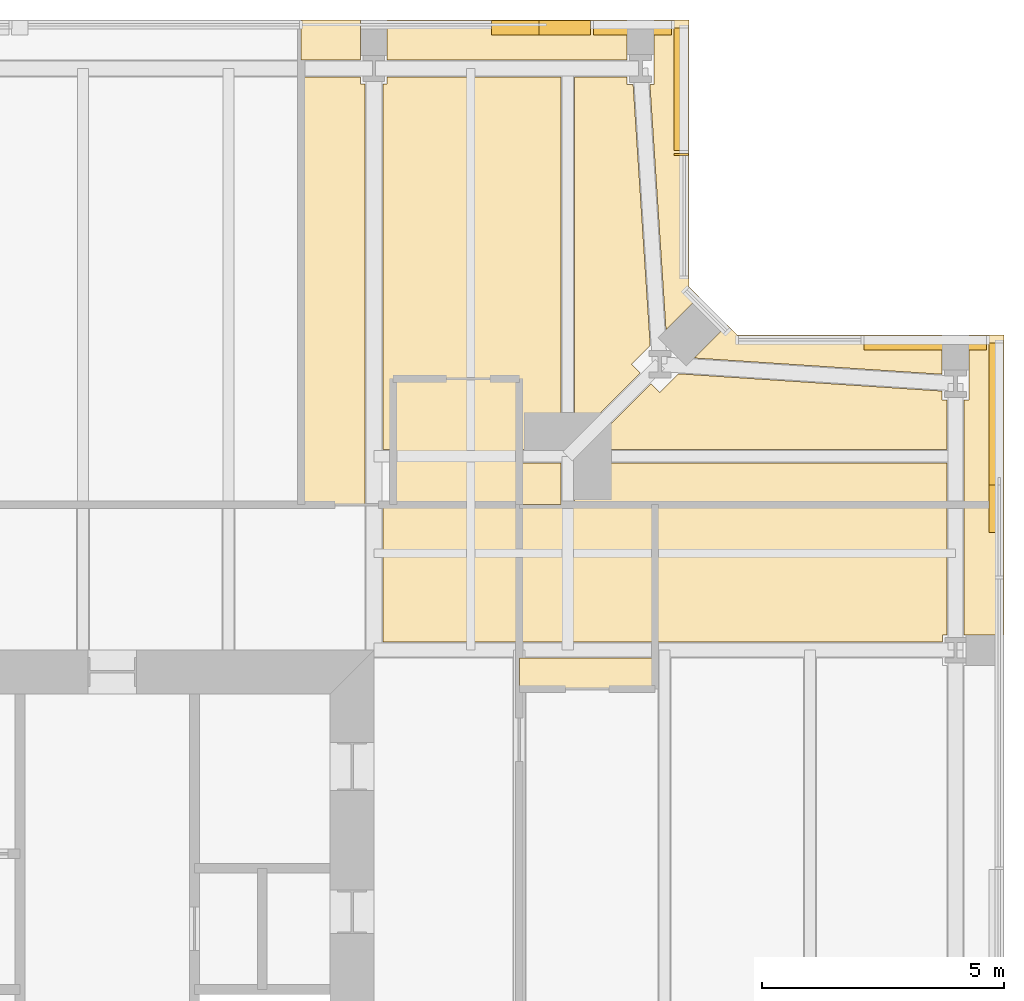
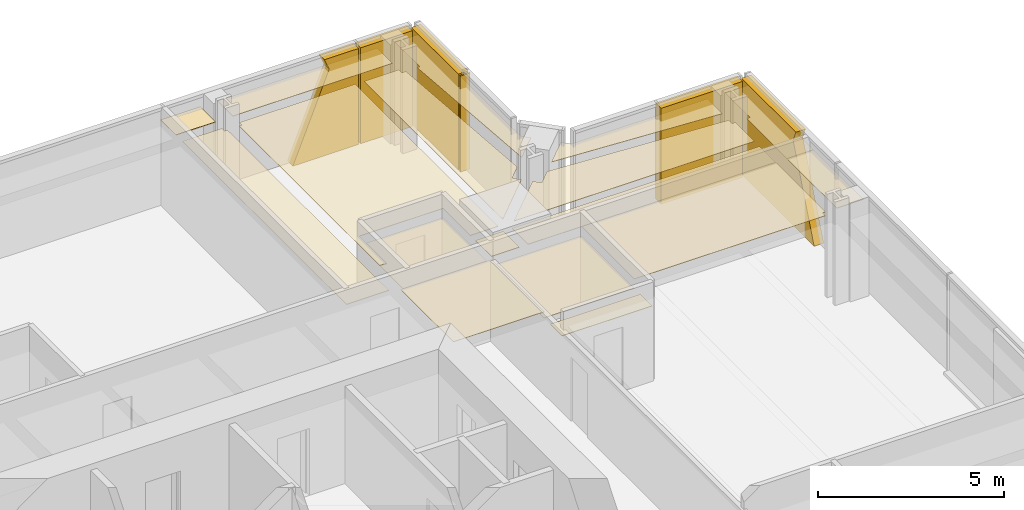
# One storey, part 19 of 20: 23 coverings.
"""IFC4 building model written with IfcOpenShell, lengths in metres."""

from ifc_helpers import new_model, si_unit, direction, frame, origin, place, context, subcontext, project, spatial, polyline, outline, extrude, material, layer, layer_set, type_object, element, save


model = new_model("IFC4")

# Units and contexts
model_context = context("Model", 3, precision=1e-05, world=origin(), true_north=direction((0.0, 1.0)))
body_context = subcontext(model_context, "Body", "Model", "MODEL_VIEW")
ifc_project = project(units=[si_unit("LENGTHUNIT", "METRE"), si_unit("AREAUNIT", "SQUARE_METRE"), si_unit("VOLUMEUNIT", "CUBIC_METRE"), si_unit("PLANEANGLEUNIT", "RADIAN"), si_unit("MASSUNIT", "GRAM", prefix="KILO")], contexts=[model_context])

# Site, building, storey
site_placement = place(None, origin())
site = spatial("IfcSite", under=ifc_project, at=site_placement, CompositionType="ELEMENT")
building_placement = place(site_placement, origin())
building = spatial("IfcBuilding", under=site, at=building_placement, Name="Fenwick Lantern Interchange", CompositionType="ELEMENT")
storey_placement = place(building_placement, frame((0.0, 0.0, 279.800048828125)))
storey = spatial("IfcBuildingStorey", under=building, at=storey_placement, Name="L67", CompositionType="ELEMENT", Elevation=279.800048828125)

# Coverings
ifc_material_1 = material(Name="Granite cladding, warm grey flamed finish, on aluminium carrier frame", Category="masonry")
ifc_layer_1 = layer(ifc_material_1, 0.300048828125)
ifc_layer_set_1 = layer_set([ifc_layer_1], Name="BRACE CASING PANEL 300")
covering_type_1 = type_object("IfcCoveringType", Name="BRACE CASING PANEL 300", PredefinedType="CLADDING", material=ifc_layer_set_1)
covering_1_placement = place(storey_placement, frame((49.89990234375, 6.60009765625, 0.0), z_axis=(0.0, 0.0, 1.0), x_axis=(0.0, 1.0, 0.0)))
element("IfcCovering", 1, at=covering_1_placement, inside=storey, type_object=covering_type_1, Name="Brace casing 05 bay 06a", PredefinedType="CLADDING", context=body_context, shape_type="SweptSolid", body=[
    extrude(outline(polyline([(32.828369140625, 0.0), (36.739990234375, 0.0), (36.739990234375, 3.14990234375), (33.810791015625, 3.14990234375), (33.957275390625, 2.791015625), (32.828369140625, 0.0)])), frame((0.0, 0.2099609375, 0.0), z_axis=(0.0, -1.0, 0.0), x_axis=(1.0, 0.0, 0.0)), (0.0, 0.0, 1.0), 0.300048828125),
])
covering_2_placement = place(storey_placement, frame((49.89990234375, 43.39990234375, 0.0), z_axis=(0.0, 0.0, 1.0), x_axis=(-1.0, 0.0, 0.0)))
element("IfcCovering", 2, at=covering_2_placement, inside=storey, type_object=covering_type_1, Name="Brace casing 06 bay 00a", PredefinedType="CLADDING", context=body_context, shape_type="SweptSolid", body=[
    extrude(outline(polyline([(0.260009765625, 0.0), (2.790771484375, 0.0), (2.790771484375, 3.14990234375), (0.260009765625, 3.14990234375), (0.260009765625, 0.0)])), frame((0.0, 0.2099609375, 0.0), z_axis=(0.0, -1.0, 0.0), x_axis=(1.0, 0.0, 0.0)), (0.0, 0.0, 1.0), 0.300048828125),
])
covering_3_placement = place(storey_placement, frame((43.39990234375, 44.45849609375, 0.0), z_axis=(0.0, 0.0, 1.0), x_axis=(0.0, 1.0, 0.0)))
element("IfcCovering", 3, at=covering_3_placement, inside=storey, type_object=covering_type_1, Name="Brace casing 08 bay 00a", PredefinedType="CLADDING", context=body_context, shape_type="SweptSolid", body=[
    extrude(outline(polyline([(2.741455078125, 0.0), (2.790771484375, 0.0), (2.790771484375, 3.14990234375), (2.741455078125, 3.14990234375), (2.741455078125, 0.0)])), frame((0.0, 0.2099609375, 0.0), z_axis=(0.0, -1.0, 0.0), x_axis=(1.0, 0.0, 0.0)), (0.0, 0.0, 1.0), 0.300048828125),
])
covering_4_placement = place(storey_placement, frame((43.39990234375, 44.45849609375, 0.0), z_axis=(0.0, 0.0, 1.0), x_axis=(0.0, 1.0, 0.0)))
element("IfcCovering", 4, at=covering_4_placement, inside=storey, type_object=covering_type_1, Name="Brace casing 08 bay 01a", PredefinedType="CLADDING", context=body_context, shape_type="SweptSolid", body=[
    extrude(outline(polyline([(2.850830078125, 0.0), (5.38134765625, 0.0), (5.38134765625, 3.14990234375), (2.850830078125, 3.14990234375), (2.850830078125, 0.0)])), frame((0.0, 0.2099609375, 0.0), z_axis=(0.0, -1.0, 0.0), x_axis=(1.0, 0.0, 0.0)), (0.0, 0.0, 1.0), 0.300048828125),
])
covering_5_placement = place(storey_placement, frame((43.39990234375, 49.89990234375, 0.0), z_axis=(0.0, 0.0, 1.0), x_axis=(-1.0, 0.0, 0.0)))
element("IfcCovering", 5, at=covering_5_placement, inside=storey, type_object=covering_type_1, Name="Brace casing 09 bay 00a", PredefinedType="CLADDING", context=body_context, shape_type="SweptSolid", body=[
    extrude(outline(polyline([(0.260009765625, 0.0), (1.8701171875, 0.0), (1.8701171875, 3.14990234375), (0.260009765625, 3.14990234375), (0.260009765625, 0.0)])), frame((0.0, 0.2099609375, 0.0), z_axis=(0.0, -1.0, 0.0), x_axis=(1.0, 0.0, 0.0)), (0.0, 0.0, 1.0), 0.300048828125),
])
covering_6_placement = place(storey_placement, frame((43.39990234375, 49.89990234375, 0.0), z_axis=(0.0, 0.0, 1.0), x_axis=(-1.0, 0.0, 0.0)))
element("IfcCovering", 6, at=covering_6_placement, inside=storey, type_object=covering_type_1, Name="Brace casing 09 bay 01a", PredefinedType="CLADDING", context=body_context, shape_type="SweptSolid", body=[
    extrude(outline(polyline([(1.929931640625, 0.0), (3.971435546875, 0.0), (2.8427734375, 2.791015625), (2.9892578125, 3.14990234375), (1.929931640625, 3.14990234375), (1.929931640625, 0.0)])), frame((0.0, 0.2099609375, 0.0), z_axis=(0.0, -1.0, 0.0), x_axis=(1.0, 0.0, 0.0)), (0.0, 0.0, 1.0), 0.300048828125),
])
ifc_material_2 = material(Name="Moisture resistant gypsum board on suspended frame, painted")
ifc_layer_2 = layer(ifc_material_2, 0.014892578125)
ifc_layer_set_2 = layer_set([ifc_layer_2], Name="MOISTURE RESISTANT CEILING 15")
covering_type_2 = type_object("IfcCoveringType", Name="MOISTURE RESISTANT CEILING 15", PredefinedType="CEILING", material=ifc_layer_set_2)
covering_7_placement = place(storey_placement, frame((0.0, 0.0, 2.39990234375)))
element("IfcCovering", 7, at=covering_7_placement, inside=storey, type_object=covering_type_2, Name="En-suite 6707 ceiling", PredefinedType="CEILING", context=body_context, shape_type="SweptSolid", body=[
    extrude(outline(polyline([(40.0, 40.0), (40.0, 37.166015625), (42.800048828125, 37.166015625), (42.800048828125, 40.0), (40.0, 40.0)])), origin(), (0.0, 0.0, 1.0), 0.01513671875),
])
covering_8_placement = place(storey_placement, frame((0.0, 0.0, 2.39990234375)))
element("IfcCovering", 8, at=covering_8_placement, inside=storey, type_object=covering_type_2, Name="En-suite 6707 ceiling", PredefinedType="CEILING", context=body_context, shape_type="SweptSolid", body=[
    extrude(outline(polyline([(42.800048828125, 36.199951171875), (42.800048828125, 36.833984375), (40.0, 36.833984375), (40.0, 36.199951171875), (42.800048828125, 36.199951171875)])), origin(), (0.0, 0.0, 1.0), 0.01513671875),
])
covering_9_placement = place(storey_placement, frame((0.0, 0.0, 2.39990234375)))
element("IfcCovering", 9, at=covering_9_placement, inside=storey, type_object=covering_type_2, Name="En-suite 6708 ceiling", PredefinedType="CEILING", context=body_context, shape_type="SweptSolid", body=[
    extrude(outline(polyline([(40.0, 42.60009765625), (37.39990234375, 42.60009765625), (37.39990234375, 40.0), (40.0, 40.0), (40.0, 42.60009765625)])), origin(), (0.0, 0.0, 1.0), 0.01513671875),
])
ifc_material_3 = material(Name="Gypsum plasterboard on suspended frame, painted")
ifc_layer_3 = layer(ifc_material_3, 0.014892578125)
ifc_layer_set_3 = layer_set([ifc_layer_3], Name="PLASTERBOARD CEILING 15")
covering_type_3 = type_object("IfcCoveringType", Name="PLASTERBOARD CEILING 15", PredefinedType="CEILING", material=ifc_layer_set_3)
covering_10_placement = place(storey_placement, frame((0.0, 0.0, 2.599853515625)))
element("IfcCovering", 10, at=covering_10_placement, inside=storey, type_object=covering_type_3, Name="Corridor ceiling", PredefinedType="CEILING", context=body_context, shape_type="SweptSolid", body=[
    extrude(outline(polyline([(40.0, 40.0), (37.183837890625, 40.0), (37.183837890625, 37.166015625), (40.0, 37.166015625), (40.0, 40.0)])), origin(), (0.0, 0.0, 1.0), 0.01513671875),
])
covering_11_placement = place(storey_placement, frame((0.0, 0.0, 2.699951171875)))
element("IfcCovering", 11, at=covering_11_placement, inside=storey, type_object=covering_type_3, Name="Guest suite 6707 ceiling", PredefinedType="CEILING", context=body_context, shape_type="SweptSolid", body=[
    extrude(outline(polyline([(48.72900390625, 37.3154296875), (48.82763671875, 37.3154296875), (48.82763671875, 40.0), (42.800048828125, 40.0), (42.800048828125, 37.166015625), (48.72900390625, 37.166015625), (48.72900390625, 37.3154296875)])), origin(), (0.0, 0.0, 1.0), 0.014892578125),
])
covering_12_placement = place(storey_placement, frame((0.0, 0.0, 2.699951171875)))
element("IfcCovering", 12, at=covering_12_placement, inside=storey, type_object=covering_type_3, Name="Guest suite 6707 ceiling", PredefinedType="CEILING", context=body_context, shape_type="SweptSolid", body=[
    extrude(outline(polyline([(49.17236328125, 37.3154296875), (50.0, 37.3154296875), (50.0, 40.0), (49.17236328125, 40.0), (49.17236328125, 37.3154296875)])), origin(), (0.0, 0.0, 1.0), 0.014892578125),
])
covering_13_placement = place(storey_placement, frame((0.0, 0.0, 2.699951171875)))
element("IfcCovering", 13, at=covering_13_placement, inside=storey, type_object=covering_type_3, Name="Guest suite 6708 ceiling", PredefinedType="CEILING", context=body_context, shape_type="SweptSolid", body=[
    extrude(outline(polyline([(40.0, 42.60009765625), (40.0, 41.134521484375), (40.865478515625, 41.134521484375), (40.865478515625, 48.82763671875), (37.27099609375, 48.82763671875), (37.27099609375, 48.6845703125), (37.183837890625, 48.6845703125), (37.183837890625, 41.134521484375), (37.39990234375, 41.134521484375), (37.39990234375, 42.60009765625), (40.0, 42.60009765625)])), origin(), (0.0, 0.0, 1.0), 0.014892578125),
])
covering_14_placement = place(storey_placement, frame((0.0, 0.0, 2.699951171875)))
element("IfcCovering", 14, at=covering_14_placement, inside=storey, type_object=covering_type_3, Name="Guest suite 6708 ceiling", PredefinedType="CEILING", context=body_context, shape_type="SweptSolid", body=[
    extrude(outline(polyline([(35.5, 40.0), (36.816162109375, 40.0), (36.816162109375, 48.6845703125), (36.72900390625, 48.6845703125), (36.72900390625, 48.82763671875), (35.5, 48.82763671875), (35.5, 40.0)])), origin(), (0.0, 0.0, 1.0), 0.014892578125),
])
covering_15_placement = place(storey_placement, frame((0.0, 0.0, 2.699951171875)))
element("IfcCovering", 15, at=covering_15_placement, inside=storey, type_object=covering_type_3, Name="Guest suite 6708 ceiling", PredefinedType="CEILING", context=body_context, shape_type="SweptSolid", body=[
    extrude(outline(polyline([(42.89990234375, 42.3173828125), (42.71728515625, 42.500244140625), (41.351318359375, 41.134521484375), (48.82763671875, 41.134521484375), (48.82763671875, 42.16552734375), (48.72265625, 42.16552734375), (48.72265625, 42.345458984375), (43.284423828125, 42.701904296875), (42.89990234375, 42.3173828125)])), origin(), (0.0, 0.0, 1.0), 0.014892578125),
])
covering_16_placement = place(storey_placement, frame((0.0, 0.0, 2.699951171875)))
element("IfcCovering", 16, at=covering_16_placement, inside=storey, type_object=covering_type_3, Name="Guest suite 6708 ceiling", PredefinedType="CEILING", context=body_context, shape_type="SweptSolid", body=[
    extrude(outline(polyline([(42.22265625, 48.66552734375), (42.22265625, 48.82763671875), (41.134521484375, 48.82763671875), (41.134521484375, 41.351318359375), (42.500244140625, 42.71728515625), (42.3173828125, 42.89990234375), (42.701904296875, 43.284423828125), (42.34912109375, 48.66552734375), (42.22265625, 48.66552734375)])), origin(), (0.0, 0.0, 1.0), 0.014892578125),
])
covering_17_placement = place(storey_placement, frame((0.0, 0.0, 2.699951171875)))
element("IfcCovering", 17, at=covering_17_placement, inside=storey, type_object=covering_type_3, Name="Guest suite 6708 ceiling", PredefinedType="CEILING", context=body_context, shape_type="SweptSolid", body=[
    extrude(outline(polyline([(41.134521484375, 40.0), (48.82763671875, 40.0), (48.82763671875, 40.865478515625), (41.134521484375, 40.865478515625), (41.134521484375, 40.0)])), origin(), (0.0, 0.0, 1.0), 0.014892578125),
])
covering_18_placement = place(storey_placement, frame((0.0, 0.0, 2.699951171875)))
element("IfcCovering", 18, at=covering_18_placement, inside=storey, type_object=covering_type_3, Name="Guest suite 6708 ceiling", PredefinedType="CEILING", context=body_context, shape_type="SweptSolid", body=[
    extrude(outline(polyline([(42.77734375, 48.66552734375), (42.69482421875, 48.66552734375), (43.0263671875, 43.60888671875), (43.708740234375, 44.291259765625), (43.5, 44.5), (43.5, 50.0), (42.77734375, 50.0), (42.77734375, 48.66552734375)])), origin(), (0.0, 0.0, 1.0), 0.014892578125),
])
covering_19_placement = place(storey_placement, frame((0.0, 0.0, 2.699951171875)))
element("IfcCovering", 19, at=covering_19_placement, inside=storey, type_object=covering_type_3, Name="Guest suite 6708 ceiling", PredefinedType="CEILING", context=body_context, shape_type="SweptSolid", body=[
    extrude(outline(polyline([(37.27099609375, 50.0), (37.27099609375, 49.17236328125), (42.22265625, 49.17236328125), (42.22265625, 50.0), (37.27099609375, 50.0)])), origin(), (0.0, 0.0, 1.0), 0.014892578125),
])
covering_20_placement = place(storey_placement, frame((0.0, 0.0, 2.699951171875)))
element("IfcCovering", 20, at=covering_20_placement, inside=storey, type_object=covering_type_3, Name="Guest suite 6708 ceiling", PredefinedType="CEILING", context=body_context, shape_type="SweptSolid", body=[
    extrude(outline(polyline([(44.291259765625, 43.708740234375), (43.60888671875, 43.0263671875), (48.72265625, 42.69091796875), (48.72265625, 43.5), (44.5, 43.5), (44.291259765625, 43.708740234375)])), origin(), (0.0, 0.0, 1.0), 0.014892578125),
])
covering_21_placement = place(storey_placement, frame((0.0, 0.0, 2.699951171875)))
element("IfcCovering", 21, at=covering_21_placement, inside=storey, type_object=covering_type_3, Name="Guest suite 6708 ceiling", PredefinedType="CEILING", context=body_context, shape_type="SweptSolid", body=[
    extrude(outline(polyline([(49.27734375, 43.5), (49.27734375, 42.16552734375), (49.17236328125, 42.16552734375), (49.17236328125, 40.0), (50.0, 40.0), (50.0, 43.5), (49.27734375, 43.5)])), origin(), (0.0, 0.0, 1.0), 0.014892578125),
])
covering_22_placement = place(storey_placement, frame((0.0, 0.0, 2.699951171875)))
element("IfcCovering", 22, at=covering_22_placement, inside=storey, type_object=covering_type_3, Name="Guest suite 6708 ceiling", PredefinedType="CEILING", context=body_context, shape_type="SweptSolid", body=[
    extrude(outline(polyline([(35.5, 50.0), (35.5, 49.17236328125), (36.72900390625, 49.17236328125), (36.72900390625, 50.0), (35.5, 50.0)])), origin(), (0.0, 0.0, 1.0), 0.014892578125),
])
covering_23_placement = place(storey_placement, frame((0.0, 0.0, 2.699951171875)))
element("IfcCovering", 23, at=covering_23_placement, inside=storey, type_object=covering_type_3, Name="Guest suite 6708 ceiling", PredefinedType="CEILING", context=body_context, shape_type="SweptSolid", body=[
    extrude(outline(polyline([(40.0, 40.0), (40.865478515625, 40.0), (40.865478515625, 40.865478515625), (40.0, 40.865478515625), (40.0, 40.0)])), origin(), (0.0, 0.0, 1.0), 0.014892578125),
])

save(model, "model.ifc")
